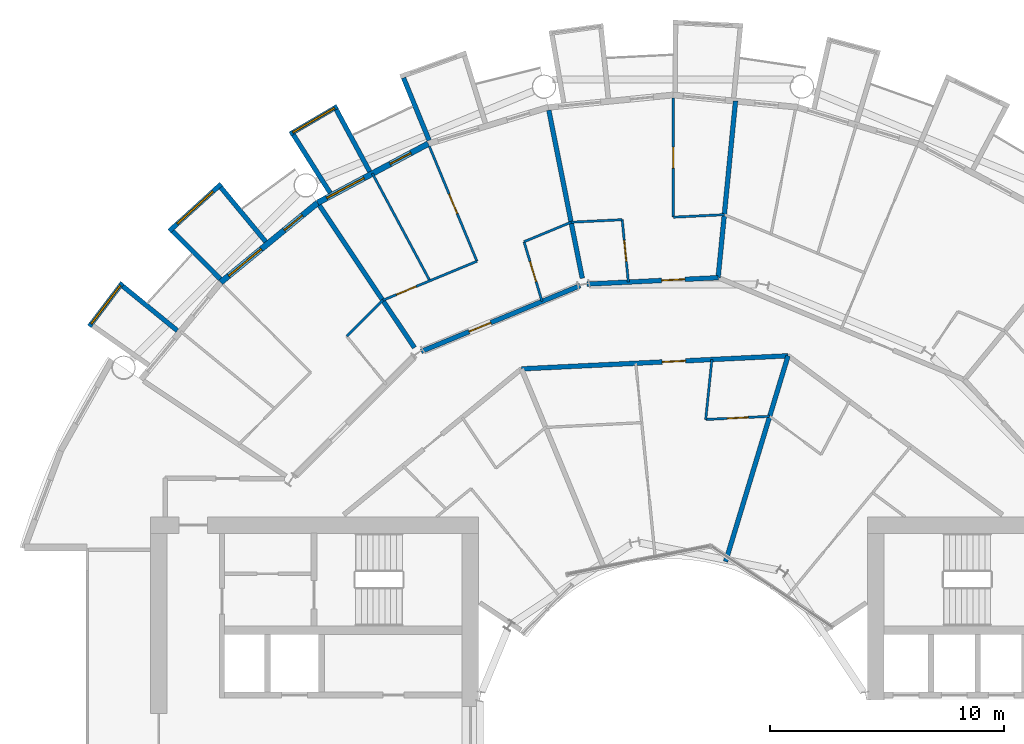
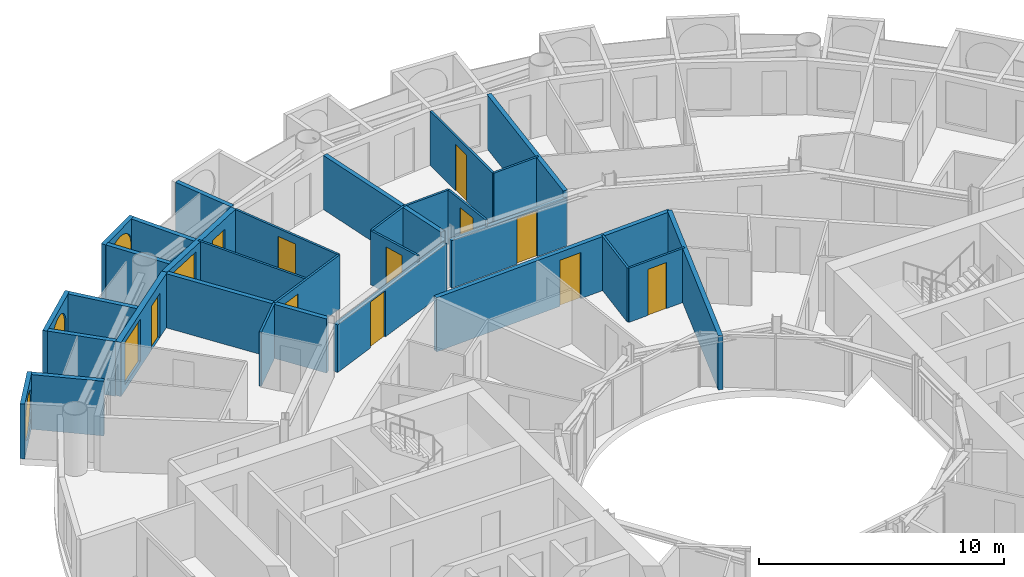
# One storey, part 19 of 26: 30 walls, 11 doors, 5 windows, 16 openings.
"""IFC4 building model written with IfcOpenShell, lengths in metres."""

from ifc_helpers import new_model, si_unit, direction, frame, frame_2d, origin, place, context, subcontext, project, spatial, rectangle, circle, extrude, material, layer, layer_set, type_object, element, fill, save


model = new_model("IFC4")

# Units and contexts
model_context = context("Model", 3, precision=1e-05, world=origin(), true_north=direction((0.0, 1.0)))
body_context = subcontext(model_context, "Body", "Model", "MODEL_VIEW")
ifc_project = project(units=[si_unit("LENGTHUNIT", "METRE"), si_unit("AREAUNIT", "SQUARE_METRE"), si_unit("VOLUMEUNIT", "CUBIC_METRE"), si_unit("PLANEANGLEUNIT", "RADIAN"), si_unit("MASSUNIT", "GRAM", prefix="KILO")], contexts=[model_context])

# Site, building, storey
site_placement = place(None, origin())
site = spatial("IfcSite", under=ifc_project, at=site_placement, CompositionType="ELEMENT")
building_placement = place(site_placement, origin())
building = spatial("IfcBuilding", under=site, at=building_placement, Name="Maasbend Ring Residences", CompositionType="ELEMENT")
storey_placement = place(building_placement, frame((0.0, 0.0, 69.699951171875)))
storey = spatial("IfcBuildingStorey", under=building, at=storey_placement, Name="L19", CompositionType="ELEMENT", Elevation=69.699951171875)

# Wall, opening, door
ifc_material_1 = material(Name="Concrete C30/37", Category="concrete")
ifc_layer_1 = layer(ifc_material_1, 0.199951171875)
ifc_layer_set_1 = layer_set([ifc_layer_1], Name="Concrete C30/37")
wall_type_1 = type_object("IfcWallType", Name="CORRIDOR WALL 200 CONCRETE", PredefinedType="PARTITIONING", material=ifc_layer_set_1)
wall_1_placement = place(storey_placement, frame((-6.468017578125, 15.614013671875, 0.0), z_axis=(0.0, 0.0, 1.0), x_axis=(0.998797695979, 0.049022061427, 0.0)))
wall_1 = element("IfcWall", 1, at=wall_1_placement, inside=storey, type_object=wall_type_1, Name="U-L19-w095", PredefinedType="PARTITIONING", context=body_context, shape_type="SweptSolid", body=[
    extrude(rectangle(XDim=11.384765625, YDim=0.199951171875, at=frame_2d((5.6923828125, 0.0))), origin(), (0.0, 0.0, 1.0), 2.699951171875),
])
opening_1_placement = place(wall_1_placement, frame((6.008056640625, 0.0, 0.0)))
opening_1 = element("IfcOpeningElement", 2, at=opening_1_placement, cuts=wall_1, Name="Opening D-1925", PredefinedType="OPENING", context=body_context, shape_type="SweptSolid", body=[
    extrude(rectangle(XDim=1.0, YDim=2.300048828125, at=frame_2d((0.5, 1.14990234375))), frame((0.0, 0.10986328125, 0.0), z_axis=(0.0, -1.0, 0.0), x_axis=(1.0, 0.0, 0.0)), (0.0, 0.0, 1.0), 0.219970703125),
])
ifc_material_2 = material(Name="Timber, fire-rated, painted", Category="wood")
door_type_1 = type_object("IfcDoorType", Name="FLAT ENTRANCE DOOR 1000 X 2300 FIRE-RATED", OperationType="NOTDEFINED", PredefinedType="DOOR", material=ifc_material_2)
door_1_placement = place(opening_1_placement, origin())
door_1 = element("IfcDoor", 3, at=door_1_placement, inside=storey, type_object=door_type_1, Name="D-1925", OperationType="SINGLE_SWING_RIGHT", OverallHeight=2.300048828125, OverallWidth=1.0, PredefinedType="DOOR", context=body_context, shape_type="SweptSolid", body=[
    extrude(rectangle(XDim=1.0, YDim=2.300048828125, at=frame_2d((0.5, 1.14990234375))), frame((0.0, 0.02490234375, 0.0), z_axis=(0.0, -1.0, 0.0), x_axis=(1.0, 0.0, 0.0)), (0.0, 0.0, 1.0), 0.050048828125),
])
fill(opening_1, door_1)

wall_2_placement = place(storey_placement, frame((-10.7451171875, 16.35693359375, 0.0), z_axis=(0.0, 0.0, 1.0), x_axis=(0.923928411035, 0.382565407848, 0.0)))
wall_2 = element("IfcWall", 4, at=wall_2_placement, inside=storey, type_object=wall_type_1, Name="U-L19-w100", PredefinedType="PARTITIONING", context=body_context, shape_type="SweptSolid", body=[
    extrude(rectangle(XDim=7.335205078125, YDim=0.199951171875, at=frame_2d((3.66748046875, 0.0))), origin(), (0.0, 0.0, 1.0), 2.380126953125),
])
opening_2_placement = place(wall_2_placement, frame((2.2119140625, 0.0, 0.0)))
opening_2 = element("IfcOpeningElement", 5, at=opening_2_placement, cuts=wall_2, Name="Opening D-1913", PredefinedType="OPENING", context=body_context, shape_type="SweptSolid", body=[
    extrude(rectangle(XDim=1.0, YDim=2.300048828125, at=frame_2d((0.5, 1.14990234375))), frame((0.0, 0.10986328125, 0.0), z_axis=(0.0, -1.0, 0.0), x_axis=(1.0, 0.0, 0.0)), (0.0, 0.0, 1.0), 0.219970703125),
])
door_2_placement = place(opening_2_placement, origin())
door_2 = element("IfcDoor", 6, at=door_2_placement, inside=storey, type_object=door_type_1, Name="D-1913", OperationType="SINGLE_SWING_LEFT", OverallHeight=2.300048828125, OverallWidth=1.0, PredefinedType="DOOR", context=body_context, shape_type="SweptSolid", body=[
    extrude(rectangle(XDim=1.0, YDim=2.300048828125, at=frame_2d((0.5, 1.14990234375))), frame((0.0, 0.02490234375, 0.0), z_axis=(0.0, -1.0, 0.0), x_axis=(1.0, 0.0, 0.0)), (0.0, 0.0, 1.0), 0.050048828125),
])
fill(opening_2, door_2)

wall_3_placement = place(storey_placement, frame((-3.6689453125, 19.23095703125, 0.0), z_axis=(0.0, 0.0, 1.0), x_axis=(0.998803644396, 0.048900715146, 0.0)))
wall_3 = element("IfcWall", 7, at=wall_3_placement, inside=storey, type_object=wall_type_1, Name="U-L19-w101", PredefinedType="PARTITIONING", context=body_context, shape_type="SweptSolid", body=[
    extrude(rectangle(XDim=5.6015625, YDim=0.199951171875, at=frame_2d((2.80078125, 0.0))), origin(), (0.0, 0.0, 1.0), 2.380126953125),
])
opening_3_placement = place(wall_3_placement, frame((3.178955078125, 0.0, 0.0)))
opening_3 = element("IfcOpeningElement", 8, at=opening_3_placement, cuts=wall_3, Name="Opening D-1910", PredefinedType="OPENING", context=body_context, shape_type="SweptSolid", body=[
    extrude(rectangle(XDim=1.0, YDim=2.300048828125, at=frame_2d((0.5, 1.14990234375))), frame((0.0, 0.10986328125, 0.0), z_axis=(0.0, -1.0, 0.0), x_axis=(1.0, 0.0, 0.0)), (0.0, 0.0, 1.0), 0.219970703125),
])
door_3_placement = place(opening_3_placement, origin())
door_3 = element("IfcDoor", 9, at=door_3_placement, inside=storey, type_object=door_type_1, Name="D-1910", OperationType="SINGLE_SWING_RIGHT", OverallHeight=2.300048828125, OverallWidth=1.0, PredefinedType="DOOR", context=body_context, shape_type="SweptSolid", body=[
    extrude(rectangle(XDim=1.0, YDim=2.300048828125, at=frame_2d((0.5, 1.14990234375))), frame((0.0, 0.02490234375, 0.0), z_axis=(0.0, -1.0, 0.0), x_axis=(1.0, 0.0, 0.0)), (0.0, 0.0, 1.0), 0.050048828125),
])
fill(opening_3, door_3)

# Wall
ifc_material_3 = material(Name="Pale anodised aluminium panel", Category="aluminium")
ifc_layer_2 = layer(ifc_material_3, 0.199951171875)
ifc_layer_set_2 = layer_set([ifc_layer_2], Name="EW-BOX")
wall_type_2 = type_object("IfcWallType", Name="EW-BOX", PredefinedType="SOLIDWALL", material=ifc_layer_set_2)
wall_4_placement = place(storey_placement, frame((-10.408935546875, 25.364013671875, -0.030029296875), z_axis=(0.0, 0.0, 1.0), x_axis=(-0.379509886562, 0.925187681501, 0.0)))
element("IfcWall", 10, at=wall_4_placement, inside=storey, type_object=wall_type_2, Name="Box side wall N14 right", PredefinedType="SOLIDWALL", context=body_context, shape_type="SweptSolid", body=[
    extrude(rectangle(XDim=2.882568359375, YDim=0.199951171875, at=frame_2d((1.44140625, 0.0))), origin(), (0.0, 0.0, 1.0), 2.72998046875),
])

# Wall, opening, window
wall_5_placement = place(storey_placement, frame((-14.326904296875, 26.81201171875, -0.030029296875), z_axis=(0.0, 0.0, 1.0), x_axis=(-0.863346521872, -0.504611517081, 0.0)))
wall_5 = element("IfcWall", 11, at=wall_5_placement, inside=storey, type_object=wall_type_2, Name="Box front N16", PredefinedType="SOLIDWALL", context=body_context, shape_type="SweptSolid", body=[
    extrude(rectangle(XDim=2.33642578125, YDim=0.199951171875, at=frame_2d((1.168212890625, 0.0))), origin(), (0.0, 0.0, 1.0), 2.72998046875),
])
opening_4_placement = place(wall_5_placement, frame((0.128173828125, 0.0, 0.330078125)))
opening_4 = element("IfcOpeningElement", 12, at=opening_4_placement, cuts=wall_5, Name="Opening W-RD", PredefinedType="OPENING", context=body_context, shape_type="SweptSolid", body=[
    extrude(circle(Radius=1.0400390625, at=frame_2d((1.0400390625, 1.0400390625))), frame((0.0, 0.10986328125, 0.0), z_axis=(0.0, -1.0, 0.0), x_axis=(1.0, 0.0, 0.0)), (0.0, 0.0, 1.0), 0.219970703125),
])
ifc_material_4 = material(Name="Aluminium and clear glass", Category="aluminium")
window_type_1 = type_object("IfcWindowType", Name="W-RD", PartitioningType="SINGLE_PANEL", PredefinedType="WINDOW", material=ifc_material_4)
window_1_placement = place(opening_4_placement, origin())
window_1 = element("IfcWindow", 13, at=window_1_placement, inside=storey, type_object=window_type_1, Name="Round window N16", OverallHeight=2.080078125, OverallWidth=2.080078125, PartitioningType="SINGLE_PANEL", PredefinedType="WINDOW", context=body_context, shape_type="SweptSolid", body=[
    extrude(circle(Radius=1.0400390625, at=frame_2d((1.0400390625, 1.0400390625))), frame((0.0, 0.030029296875, 0.0), z_axis=(0.0, -1.0, 0.0), x_axis=(1.0, 0.0, 0.0)), (0.0, 0.0, 1.0), 0.06005859375),
])
fill(opening_4, window_1)

# Walls
wall_6_placement = place(storey_placement, frame((-12.945068359375, 24.029052734375, -0.030029296875), z_axis=(0.0, 0.0, 1.0), x_axis=(-0.474424310775, 0.88029629861, 0.0)))
element("IfcWall", 14, at=wall_6_placement, inside=storey, type_object=wall_type_2, Name="Box side wall N16 left", PredefinedType="SOLIDWALL", context=body_context, shape_type="SweptSolid", body=[
    extrude(rectangle(XDim=3.005859375, YDim=0.199951171875, at=frame_2d((1.5029296875, 0.0))), origin(), (0.0, 0.0, 1.0), 2.72998046875),
])
wall_7_placement = place(storey_placement, frame((-14.635009765625, 23.1259765625, -0.030029296875), z_axis=(0.0, 0.0, 1.0), x_axis=(-0.534437802731, 0.845207805816, 0.0)))
element("IfcWall", 15, at=wall_7_placement, inside=storey, type_object=wall_type_2, Name="Box side wall N16 right", PredefinedType="SOLIDWALL", context=body_context, shape_type="SweptSolid", body=[
    extrude(rectangle(XDim=2.931884765625, YDim=0.199951171875, at=frame_2d((1.4658203125, 0.0))), origin(), (0.0, 0.0, 1.0), 2.72998046875),
])

# Wall, opening, window
wall_8_placement = place(storey_placement, frame((-19.281982421875, 23.5029296875, -0.030029296875), z_axis=(0.0, 0.0, 1.0), x_axis=(-0.740998365753, -0.671506829416, 0.0)))
wall_8 = element("IfcWall", 16, at=wall_8_placement, inside=storey, type_object=wall_type_2, Name="Box front N18", PredefinedType="SOLIDWALL", context=body_context, shape_type="SweptSolid", body=[
    extrude(rectangle(XDim=2.9931640625, YDim=0.199951171875, at=frame_2d((1.49658203125, 0.0))), origin(), (0.0, 0.0, 1.0), 2.72998046875),
])
opening_5_placement = place(wall_8_placement, frame((0.45654296875, 0.0, 0.330078125)))
opening_5 = element("IfcOpeningElement", 17, at=opening_5_placement, cuts=wall_8, Name="Opening W-RD", PredefinedType="OPENING", context=body_context, shape_type="SweptSolid", body=[
    extrude(circle(Radius=1.0400390625, at=frame_2d((1.0400390625, 1.0400390625))), frame((0.0, 0.10986328125, 0.0), z_axis=(0.0, -1.0, 0.0), x_axis=(1.0, 0.0, 0.0)), (0.0, 0.0, 1.0), 0.219970703125),
])
window_2_placement = place(opening_5_placement, origin())
window_2 = element("IfcWindow", 18, at=window_2_placement, inside=storey, type_object=window_type_1, Name="Round window N18", OverallHeight=2.080078125, OverallWidth=2.080078125, PartitioningType="SINGLE_PANEL", PredefinedType="WINDOW", context=body_context, shape_type="SweptSolid", body=[
    extrude(circle(Radius=1.0400390625, at=frame_2d((1.0400390625, 1.0400390625))), frame((0.0, 0.030029296875, 0.0), z_axis=(0.0, -1.0, 0.0), x_axis=(1.0, 0.0, 0.0)), (0.0, 0.0, 1.0), 0.06005859375),
])
fill(opening_5, window_2)

# Walls
wall_9_placement = place(storey_placement, frame((-17.384033203125, 21.041015625, -0.030029296875), z_axis=(0.0, 0.0, 1.0), x_axis=(-0.63709551667, 0.770784861449, 0.0)))
element("IfcWall", 19, at=wall_9_placement, inside=storey, type_object=wall_type_2, Name="Box side wall N18 left", PredefinedType="SOLIDWALL", context=body_context, shape_type="SweptSolid", body=[
    extrude(rectangle(XDim=3.005859375, YDim=0.199951171875, at=frame_2d((1.5029296875, 0.0))), origin(), (0.0, 0.0, 1.0), 2.72998046875),
])
wall_10_placement = place(storey_placement, frame((-19.322998046875, 19.449951171875, -0.030029296875), z_axis=(0.0, 0.0, 1.0), x_axis=(-0.704476739375, 0.709727076896, 0.0)))
element("IfcWall", 20, at=wall_10_placement, inside=storey, type_object=wall_type_2, Name="Box side wall N18 right", PredefinedType="SOLIDWALL", context=body_context, shape_type="SweptSolid", body=[
    extrude(rectangle(XDim=2.883056640625, YDim=0.199951171875, at=frame_2d((1.44140625, 0.0))), origin(), (0.0, 0.0, 1.0), 2.72998046875),
])

# Wall, opening, window
wall_11_placement = place(storey_placement, frame((-23.4970703125, 19.2890625, -0.030029296875), z_axis=(0.0, 0.0, 1.0), x_axis=(-0.60418752353, -0.796842165306, 0.0)))
wall_11 = element("IfcWall", 21, at=wall_11_placement, inside=storey, type_object=wall_type_2, Name="Box front N20", PredefinedType="SOLIDWALL", context=body_context, shape_type="SweptSolid", body=[
    extrude(rectangle(XDim=2.3369140625, YDim=0.199951171875, at=frame_2d((1.16845703125, 0.0))), origin(), (0.0, 0.0, 1.0), 2.72998046875),
])
opening_6_placement = place(wall_11_placement, frame((0.128173828125, 0.0, 0.330078125)))
opening_6 = element("IfcOpeningElement", 22, at=opening_6_placement, cuts=wall_11, Name="Opening W-RD", PredefinedType="OPENING", context=body_context, shape_type="SweptSolid", body=[
    extrude(circle(Radius=1.0400390625, at=frame_2d((1.0400390625, 1.0400390625))), frame((0.0, 0.10986328125, 0.0), z_axis=(0.0, -1.0, 0.0), x_axis=(1.0, 0.0, 0.0)), (0.0, 0.0, 1.0), 0.219970703125),
])
window_3_placement = place(opening_6_placement, origin())
window_3 = element("IfcWindow", 23, at=window_3_placement, inside=storey, type_object=window_type_1, Name="Round window N20", OverallHeight=2.080078125, OverallWidth=2.080078125, PartitioningType="SINGLE_PANEL", PredefinedType="WINDOW", context=body_context, shape_type="SweptSolid", body=[
    extrude(circle(Radius=1.0400390625, at=frame_2d((1.0400390625, 1.0400390625))), frame((0.0, 0.030029296875, 0.0), z_axis=(0.0, -1.0, 0.0), x_axis=(1.0, 0.0, 0.0)), (0.0, 0.0, 1.0), 0.06005859375),
])
fill(opening_6, window_3)

# Wall
wall_12_placement = place(storey_placement, frame((-21.155029296875, 17.24609375, -0.030029296875), z_axis=(0.0, 0.0, 1.0), x_axis=(-0.775179004516, 0.631741648902, 0.0)))
element("IfcWall", 24, at=wall_12_placement, inside=storey, type_object=wall_type_2, Name="Box side wall N20 left", PredefinedType="SOLIDWALL", context=body_context, shape_type="SweptSolid", body=[
    extrude(rectangle(XDim=3.005859375, YDim=0.199951171875, at=frame_2d((1.5029296875, 0.0))), origin(), (0.0, 0.0, 1.0), 2.72998046875),
])

# Wall, openings, door, window
ifc_material_5 = material(Name="Aluminium clad insulated panel", Category="aluminium")
ifc_layer_3 = layer(ifc_material_5, 0.25)
ifc_layer_set_3 = layer_set([ifc_layer_3], Name="EW-GL")
wall_type_3 = type_object("IfcWallType", Name="EW-GL", PredefinedType="SOLIDWALL", material=ifc_layer_set_3)
wall_13_placement = place(storey_placement, frame((-10.447021484375, 25.221923828125, 0.0), z_axis=(0.0, 0.0, 1.0), x_axis=(-0.881915646801, -0.471407246368, 0.0)))
wall_13 = element("IfcWall", 25, at=wall_13_placement, inside=storey, type_object=wall_type_3, Name="External wall N08", PredefinedType="SOLIDWALL", context=body_context, shape_type="SweptSolid", body=[
    extrude(rectangle(XDim=5.35205078125, YDim=0.25, at=frame_2d((2.676025390625, 0.0))), origin(), (0.0, 0.0, 1.0), 2.699951171875),
])
opening_7_placement = place(wall_13_placement, frame((0.841064453125, 0.0, 0.0)))
opening_7 = element("IfcOpeningElement", 26, at=opening_7_placement, cuts=wall_13, Name="Opening D-LG", PredefinedType="OPENING", context=body_context, shape_type="SweptSolid", body=[
    extrude(rectangle(XDim=1.0, YDim=2.199951171875, at=frame_2d((0.5, 1.10009765625))), frame((0.0, 0.135009765625, 0.0), z_axis=(0.0, -1.0, 0.0), x_axis=(1.0, 0.0, 0.0)), (0.0, 0.0, 1.0), 0.27001953125),
])
opening_8_placement = place(wall_13_placement, frame((3.110595703125, 0.0, 0.300048828125)))
opening_8 = element("IfcOpeningElement", 27, at=opening_8_placement, cuts=wall_13, Name="Opening W-BX", PredefinedType="OPENING", context=body_context, shape_type="SweptSolid", body=[
    extrude(rectangle(XDim=1.800048828125, YDim=2.10009765625, at=frame_2d((0.89990234375, 1.050048828125))), frame((0.0, 0.135009765625, 0.0), z_axis=(0.0, -1.0, 0.0), x_axis=(1.0, 0.0, 0.0)), (0.0, 0.0, 1.0), 0.27001953125),
])
ifc_material_6 = material(Name="Aluminium and clear glass", Category="aluminium")
door_type_2 = type_object("IfcDoorType", Name="D-LG", OperationType="SINGLE_SWING_LEFT", PredefinedType="DOOR", material=ifc_material_6)
door_4_placement = place(opening_7_placement, origin())
door_4 = element("IfcDoor", 28, at=door_4_placement, inside=storey, type_object=door_type_2, Name="Loggia door N15", OperationType="SINGLE_SWING_LEFT", OverallHeight=2.199951171875, OverallWidth=1.0, PredefinedType="DOOR", context=body_context, shape_type="SweptSolid", body=[
    extrude(rectangle(XDim=1.0, YDim=2.199951171875, at=frame_2d((0.5, 1.10009765625))), frame((0.0, 0.02490234375, 0.0), z_axis=(0.0, -1.0, 0.0), x_axis=(1.0, 0.0, 0.0)), (0.0, 0.0, 1.0), 0.050048828125),
])
fill(opening_7, door_4)
ifc_material_7 = material(Name="Aluminium and clear glass", Category="aluminium")
window_type_2 = type_object("IfcWindowType", Name="W-BX", PartitioningType="DOUBLE_PANEL_VERTICAL", PredefinedType="WINDOW", material=ifc_material_7)
window_4_placement = place(opening_8_placement, origin())
window_4 = element("IfcWindow", 29, at=window_4_placement, inside=storey, type_object=window_type_2, Name="Window N16 room to box", OverallHeight=2.10009765625, OverallWidth=1.800048828125, PartitioningType="SINGLE_PANEL", PredefinedType="WINDOW", context=body_context, shape_type="SweptSolid", body=[
    extrude(rectangle(XDim=1.800048828125, YDim=2.10009765625, at=frame_2d((0.89990234375, 1.050048828125))), frame((0.0, 0.030029296875, 0.0), z_axis=(0.0, -1.0, 0.0), x_axis=(1.0, 0.0, 0.0)), (0.0, 0.0, 1.0), 0.06005859375),
])
fill(opening_8, window_4)

wall_14_placement = place(storey_placement, frame((-15.1669921875, 22.698974609375, 0.0), z_axis=(0.0, 0.0, 1.0), x_axis=(-0.773019449054, -0.634382322723, 0.0)))
wall_14 = element("IfcWall", 30, at=wall_14_placement, inside=storey, type_object=wall_type_3, Name="External wall N09", PredefinedType="SOLIDWALL", context=body_context, shape_type="SweptSolid", body=[
    extrude(rectangle(XDim=5.351806640625, YDim=0.25, at=frame_2d((2.67578125, 0.0))), origin(), (0.0, 0.0, 1.0), 2.699951171875),
])
opening_9_placement = place(wall_14_placement, frame((0.841064453125, 0.0, 0.0)))
opening_9 = element("IfcOpeningElement", 31, at=opening_9_placement, cuts=wall_14, Name="Opening D-LG", PredefinedType="OPENING", context=body_context, shape_type="SweptSolid", body=[
    extrude(rectangle(XDim=1.0, YDim=2.199951171875, at=frame_2d((0.5, 1.10009765625))), frame((0.0, 0.135009765625, 0.0), z_axis=(0.0, -1.0, 0.0), x_axis=(1.0, 0.0, 0.0)), (0.0, 0.0, 1.0), 0.27001953125),
])
opening_10_placement = place(wall_14_placement, frame((3.110595703125, 0.0, 0.300048828125)))
opening_10 = element("IfcOpeningElement", 32, at=opening_10_placement, cuts=wall_14, Name="Opening W-BX", PredefinedType="OPENING", context=body_context, shape_type="SweptSolid", body=[
    extrude(rectangle(XDim=1.800048828125, YDim=2.10009765625, at=frame_2d((0.89990234375, 1.050048828125))), frame((0.0, 0.135009765625, 0.0), z_axis=(0.0, -1.0, 0.0), x_axis=(1.0, 0.0, 0.0)), (0.0, 0.0, 1.0), 0.27001953125),
])
door_5_placement = place(opening_9_placement, origin())
door_5 = element("IfcDoor", 33, at=door_5_placement, inside=storey, type_object=door_type_2, Name="Loggia door N17", OperationType="SINGLE_SWING_LEFT", OverallHeight=2.199951171875, OverallWidth=1.0, PredefinedType="DOOR", context=body_context, shape_type="SweptSolid", body=[
    extrude(rectangle(XDim=1.0, YDim=2.199951171875, at=frame_2d((0.5, 1.10009765625))), frame((0.0, 0.02490234375, 0.0), z_axis=(0.0, -1.0, 0.0), x_axis=(1.0, 0.0, 0.0)), (0.0, 0.0, 1.0), 0.050048828125),
])
fill(opening_9, door_5)
window_5_placement = place(opening_10_placement, origin())
window_5 = element("IfcWindow", 34, at=window_5_placement, inside=storey, type_object=window_type_2, Name="Window N18 room to box", OverallHeight=2.10009765625, OverallWidth=1.800048828125, PartitioningType="SINGLE_PANEL", PredefinedType="WINDOW", context=body_context, shape_type="SweptSolid", body=[
    extrude(rectangle(XDim=1.800048828125, YDim=2.10009765625, at=frame_2d((0.89990234375, 1.050048828125))), frame((0.0, 0.030029296875, 0.0), z_axis=(0.0, -1.0, 0.0), x_axis=(1.0, 0.0, 0.0)), (0.0, 0.0, 1.0), 0.06005859375),
])
fill(opening_10, window_5)

# Wall
ifc_material_8 = material(Name="Gypsum board on steel studs", Category="steel")
ifc_layer_4 = layer(ifc_material_8, 0.10009765625)
ifc_layer_set_4 = layer_set([ifc_layer_4], Name="PARTITION 100 GYPSUM")
wall_type_4 = type_object("IfcWallType", Name="PARTITION 100 GYPSUM", PredefinedType="PARTITIONING", material=ifc_layer_set_4)
wall_15_placement = place(storey_placement, frame((-12.8330078125, 23.9541015625, 0.0), z_axis=(0.0, 0.0, 1.0), x_axis=(0.472148388886, -0.881519085938, 0.0)))
element("IfcWall", 35, at=wall_15_placement, inside=storey, type_object=wall_type_4, Name="U-L19-w039", PredefinedType="PARTITIONING", context=body_context, shape_type="SweptSolid", body=[
    extrude(rectangle(XDim=5.195556640625, YDim=0.10009765625, at=frame_2d((2.59765625, 0.0))), origin(), (0.0, 0.0, 1.0), 2.699951171875),
])

# Wall, opening, door
wall_16_placement = place(storey_placement, frame((-10.39892578125, 25.10595703125, 0.0), z_axis=(0.0, 0.0, 1.0), x_axis=(0.382620183578, -0.92390572848, 0.0)))
wall_16 = element("IfcWall", 36, at=wall_16_placement, inside=storey, type_object=wall_type_4, Name="U-L19-w044", PredefinedType="PARTITIONING", context=body_context, shape_type="SweptSolid", body=[
    extrude(rectangle(XDim=5.302490234375, YDim=0.10009765625, at=frame_2d((2.6513671875, 0.0))), origin(), (0.0, 0.0, 1.0), 2.699951171875),
])
opening_11_placement = place(wall_16_placement, frame((2.200927734375, 0.0, 0.0)))
opening_11 = element("IfcOpeningElement", 37, at=opening_11_placement, cuts=wall_16, Name="Opening D-1915", PredefinedType="OPENING", context=body_context, shape_type="SweptSolid", body=[
    extrude(rectangle(XDim=0.89990234375, YDim=2.300048828125, at=frame_2d((0.449951171875, 1.14990234375))), frame((0.0, 0.06005859375, 0.0), z_axis=(0.0, -1.0, 0.0), x_axis=(1.0, 0.0, 0.0)), (0.0, 0.0, 1.0), 0.1201171875),
])
ifc_material_9 = material(Name="Timber, painted", Category="wood")
door_type_3 = type_object("IfcDoorType", Name="INTERNAL DOOR 900 X 2300", OperationType="NOTDEFINED", PredefinedType="DOOR", material=ifc_material_9)
door_6_placement = place(opening_11_placement, origin())
door_6 = element("IfcDoor", 38, at=door_6_placement, inside=storey, type_object=door_type_3, Name="D-1915", OperationType="SINGLE_SWING_LEFT", OverallHeight=2.300048828125, OverallWidth=0.89990234375, PredefinedType="DOOR", context=body_context, shape_type="SweptSolid", body=[
    extrude(rectangle(XDim=0.89990234375, YDim=2.300048828125, at=frame_2d((0.449951171875, 1.14990234375))), frame((0.0, 0.02490234375, 0.0), z_axis=(0.0, -1.0, 0.0), x_axis=(1.0, 0.0, 0.0)), (0.0, 0.0, 1.0), 0.050048828125),
])
fill(opening_11, door_6)

wall_17_placement = place(storey_placement, frame((-6.360107421875, 21.0390625, 0.0), z_axis=(0.0, 0.0, 1.0), x_axis=(0.289375816213, -0.957215564537, 0.0)))
wall_17 = element("IfcWall", 39, at=wall_17_placement, inside=storey, type_object=wall_type_4, Name="U-L19-w052", PredefinedType="PARTITIONING", context=body_context, shape_type="SweptSolid", body=[
    extrude(rectangle(XDim=2.660888671875, YDim=0.10009765625, at=frame_2d((1.33056640625, 0.0))), origin(), (0.0, 0.0, 1.0), 2.699951171875),
])
opening_12_placement = place(wall_17_placement, frame((0.8798828125, 0.0, 0.0)))
opening_12 = element("IfcOpeningElement", 40, at=opening_12_placement, cuts=wall_17, Name="Opening D-1914", PredefinedType="OPENING", context=body_context, shape_type="SweptSolid", body=[
    extrude(rectangle(XDim=0.89990234375, YDim=2.300048828125, at=frame_2d((0.449951171875, 1.14990234375))), frame((0.0, 0.06005859375, 0.0), z_axis=(0.0, -1.0, 0.0), x_axis=(1.0, 0.0, 0.0)), (0.0, 0.0, 1.0), 0.1201171875),
])
door_7_placement = place(opening_12_placement, origin())
door_7 = element("IfcDoor", 41, at=door_7_placement, inside=storey, type_object=door_type_3, Name="D-1914", OperationType="SINGLE_SWING_LEFT", OverallHeight=2.300048828125, OverallWidth=0.89990234375, PredefinedType="DOOR", context=body_context, shape_type="SweptSolid", body=[
    extrude(rectangle(XDim=0.89990234375, YDim=2.300048828125, at=frame_2d((0.449951171875, 1.14990234375))), frame((0.0, 0.02490234375, 0.0), z_axis=(0.0, -1.0, 0.0), x_axis=(1.0, 0.0, 0.0)), (0.0, 0.0, 1.0), 0.050048828125),
])
fill(opening_12, door_7)

wall_18_placement = place(storey_placement, frame((-2.172119140625, 21.97900390625, 0.0), z_axis=(0.0, 0.0, 1.0), x_axis=(0.098383180323, -0.995148606907, 0.0)))
wall_18 = element("IfcWall", 42, at=wall_18_placement, inside=storey, type_object=wall_type_4, Name="U-L19-w056", PredefinedType="PARTITIONING", context=body_context, shape_type="SweptSolid", body=[
    extrude(rectangle(XDim=2.675048828125, YDim=0.10009765625, at=frame_2d((1.33740234375, 0.0))), origin(), (0.0, 0.0, 1.0), 2.699951171875),
])
opening_13_placement = place(wall_18_placement, frame((0.886962890625, 0.0, 0.0)))
opening_13 = element("IfcOpeningElement", 43, at=opening_13_placement, cuts=wall_18, Name="Opening D-1911", PredefinedType="OPENING", context=body_context, shape_type="SweptSolid", body=[
    extrude(rectangle(XDim=0.89990234375, YDim=2.300048828125, at=frame_2d((0.449951171875, 1.14990234375))), frame((0.0, 0.06005859375, 0.0), z_axis=(0.0, -1.0, 0.0), x_axis=(1.0, 0.0, 0.0)), (0.0, 0.0, 1.0), 0.1201171875),
])
door_8_placement = place(opening_13_placement, origin())
door_8 = element("IfcDoor", 44, at=door_8_placement, inside=storey, type_object=door_type_3, Name="D-1911", OperationType="SINGLE_SWING_RIGHT", OverallHeight=2.300048828125, OverallWidth=0.89990234375, PredefinedType="DOOR", context=body_context, shape_type="SweptSolid", body=[
    extrude(rectangle(XDim=0.89990234375, YDim=2.300048828125, at=frame_2d((0.449951171875, 1.14990234375))), frame((0.0, 0.02490234375, 0.0), z_axis=(0.0, -1.0, 0.0), x_axis=(1.0, 0.0, 0.0)), (0.0, 0.0, 1.0), 0.050048828125),
])
fill(opening_13, door_8)

wall_19_placement = place(storey_placement, frame((0.007080078125, 22.0859375, 0.0), z_axis=(0.0, 0.0, 1.0), x_axis=(0.000383785052, 0.999999926355, 0.0)))
wall_19 = element("IfcWall", 45, at=wall_19_placement, inside=storey, type_object=wall_type_4, Name="U-L19-w060", PredefinedType="PARTITIONING", context=body_context, shape_type="SweptSolid", body=[
    extrude(rectangle(XDim=5.089111328125, YDim=0.10009765625, at=frame_2d((2.54443359375, 0.0))), origin(), (0.0, 0.0, 1.0), 2.699951171875),
])
opening_14_placement = place(wall_19_placement, frame((2.094970703125, 0.0, 0.0)))
opening_14 = element("IfcOpeningElement", 46, at=opening_14_placement, cuts=wall_19, Name="Opening D-1912", PredefinedType="OPENING", context=body_context, shape_type="SweptSolid", body=[
    extrude(rectangle(XDim=0.89990234375, YDim=2.300048828125, at=frame_2d((0.449951171875, 1.14990234375))), frame((0.0, 0.06005859375, 0.0), z_axis=(0.0, -1.0, 0.0), x_axis=(1.0, 0.0, 0.0)), (0.0, 0.0, 1.0), 0.1201171875),
])
door_9_placement = place(opening_14_placement, origin())
door_9 = element("IfcDoor", 47, at=door_9_placement, inside=storey, type_object=door_type_3, Name="D-1912", OperationType="SINGLE_SWING_RIGHT", OverallHeight=2.300048828125, OverallWidth=0.89990234375, PredefinedType="DOOR", context=body_context, shape_type="SweptSolid", body=[
    extrude(rectangle(XDim=0.89990234375, YDim=2.300048828125, at=frame_2d((0.449951171875, 1.14990234375))), frame((0.0, 0.02490234375, 0.0), z_axis=(0.0, -1.0, 0.0), x_axis=(1.0, 0.0, 0.0)), (0.0, 0.0, 1.0), 0.050048828125),
])
fill(opening_14, door_9)

# Wall
wall_20_placement = place(storey_placement, frame((1.39208984375, 13.4541015625, 0.0), z_axis=(0.0, 0.0, 1.0), x_axis=(0.102594773028, 0.994723234145, 0.0)))
element("IfcWall", 48, at=wall_20_placement, inside=storey, type_object=wall_type_4, Name="U-L19-w062", PredefinedType="PARTITIONING", context=body_context, shape_type="SweptSolid", body=[
    extrude(rectangle(XDim=2.572509765625, YDim=0.10009765625, at=frame_2d((1.2861328125, 0.0))), origin(), (0.0, 0.0, 1.0), 2.699951171875),
])

# Wall, opening, door
wall_21_placement = place(storey_placement, frame((1.39208984375, 13.4541015625, 0.0), z_axis=(0.0, 0.0, 1.0), x_axis=(0.998779365748, 0.049394114582, 0.0)))
wall_21 = element("IfcWall", 49, at=wall_21_placement, inside=storey, type_object=wall_type_4, Name="U-L19-w090", PredefinedType="PARTITIONING", context=body_context, shape_type="SweptSolid", body=[
    extrude(rectangle(XDim=2.7333984375, YDim=0.10009765625, at=frame_2d((1.36669921875, 0.0))), origin(), (0.0, 0.0, 1.0), 2.699951171875),
])
opening_15_placement = place(wall_21_placement, frame((0.9169921875, 0.0, 0.0)))
opening_15 = element("IfcOpeningElement", 50, at=opening_15_placement, cuts=wall_21, Name="Opening D-1926", PredefinedType="OPENING", context=body_context, shape_type="SweptSolid", body=[
    extrude(rectangle(XDim=0.89990234375, YDim=2.300048828125, at=frame_2d((0.449951171875, 1.14990234375))), frame((0.0, 0.06005859375, 0.0), z_axis=(0.0, -1.0, 0.0), x_axis=(1.0, 0.0, 0.0)), (0.0, 0.0, 1.0), 0.1201171875),
])
door_10_placement = place(opening_15_placement, origin())
door_10 = element("IfcDoor", 51, at=door_10_placement, inside=storey, type_object=door_type_3, Name="D-1926", OperationType="SINGLE_SWING_RIGHT", OverallHeight=2.300048828125, OverallWidth=0.89990234375, PredefinedType="DOOR", context=body_context, shape_type="SweptSolid", body=[
    extrude(rectangle(XDim=0.89990234375, YDim=2.300048828125, at=frame_2d((0.449951171875, 1.14990234375))), frame((0.0, 0.02490234375, 0.0), z_axis=(0.0, -1.0, 0.0), x_axis=(1.0, 0.0, 0.0)), (0.0, 0.0, 1.0), 0.050048828125),
])
fill(opening_15, door_10)

# Wall
wall_22_placement = place(storey_placement, frame((-13.924072265625, 17.006103515625, 0.0), z_axis=(0.0, 0.0, 1.0), x_axis=(0.707387256653, 0.706826194425, 0.0)))
element("IfcWall", 52, at=wall_22_placement, inside=storey, type_object=wall_type_4, Name="U-L19-w108", PredefinedType="PARTITIONING", context=body_context, shape_type="SweptSolid", body=[
    extrude(rectangle(XDim=2.17578125, YDim=0.10009765625, at=frame_2d((1.087890625, 0.0))), origin(), (0.0, 0.0, 1.0), 2.699951171875),
])

# Wall, opening, door
wall_23_placement = place(storey_placement, frame((-12.39697265625, 18.535888671875, 0.0), z_axis=(0.0, 0.0, 1.0), x_axis=(0.923761942059, 0.382967197554, 0.0)))
wall_23 = element("IfcWall", 53, at=wall_23_placement, inside=storey, type_object=wall_type_4, Name="U-L19-w109", PredefinedType="PARTITIONING", context=body_context, shape_type="SweptSolid", body=[
    extrude(rectangle(XDim=4.35595703125, YDim=0.10009765625, at=frame_2d((2.177978515625, 0.0))), origin(), (0.0, 0.0, 1.0), 2.699951171875),
])
opening_16_placement = place(wall_23_placement, frame((0.64599609375, 0.0, 0.0)))
opening_16 = element("IfcOpeningElement", 54, at=opening_16_placement, cuts=wall_23, Name="Opening D-1916", PredefinedType="OPENING", context=body_context, shape_type="SweptSolid", body=[
    extrude(rectangle(XDim=0.89990234375, YDim=2.300048828125, at=frame_2d((0.449951171875, 1.14990234375))), frame((0.0, 0.06005859375, 0.0), z_axis=(0.0, -1.0, 0.0), x_axis=(1.0, 0.0, 0.0)), (0.0, 0.0, 1.0), 0.1201171875),
])
door_11_placement = place(opening_16_placement, origin())
door_11 = element("IfcDoor", 55, at=door_11_placement, inside=storey, type_object=door_type_3, Name="D-1916", OperationType="SINGLE_SWING_LEFT", OverallHeight=2.300048828125, OverallWidth=0.89990234375, PredefinedType="DOOR", context=body_context, shape_type="SweptSolid", body=[
    extrude(rectangle(XDim=0.89990234375, YDim=2.300048828125, at=frame_2d((0.449951171875, 1.14990234375))), frame((0.0, 0.02490234375, 0.0), z_axis=(0.0, -1.0, 0.0), x_axis=(1.0, 0.0, 0.0)), (0.0, 0.0, 1.0), 0.050048828125),
])
fill(opening_16, door_11)

# Walls
wall_24_placement = place(storey_placement, frame((-6.360107421875, 21.0390625, 0.0), z_axis=(0.0, 0.0, 1.0), x_axis=(0.923743082263, 0.383012686436, 0.0)))
element("IfcWall", 56, at=wall_24_placement, inside=storey, type_object=wall_type_4, Name="U-L19-w110", PredefinedType="PARTITIONING", context=body_context, shape_type="SweptSolid", body=[
    extrude(rectangle(XDim=2.1748046875, YDim=0.10009765625, at=frame_2d((1.08740234375, 0.0))), origin(), (0.0, 0.0, 1.0), 2.699951171875),
])
for number, where, z_axis, x_axis, name in (
    (57, (-4.35107421875, 21.8720703125, 0.0), (0.0, 0.0, 1.0), (0.998797962079, 0.049016639484, 0.0), "U-L19-w111"),
    (58, (0.007080078125, 22.0859375, 0.0), (0.0, 0.0, 1.0), (0.998792477005, 0.049128279821, 0.0), "U-L19-w112"),
):
    element("IfcWall", number, at=place(storey_placement, frame(where, z_axis=z_axis, x_axis=x_axis)), inside=storey, type_object=wall_type_4, Name=name, PredefinedType="PARTITIONING", context=body_context, shape_type="SweptSolid", body=[
        extrude(rectangle(XDim=2.181640625, YDim=0.10009765625, at=frame_2d((1.0908203125, 0.0))), origin(), (0.0, 0.0, 1.0), 2.699951171875),
    ])
ifc_material_10 = material(Name="Concrete C30/37", Category="concrete")
ifc_layer_5 = layer(ifc_material_10, 0.199951171875)
ifc_layer_set_5 = layer_set([ifc_layer_5], Name="Concrete C30/37")
wall_type_5 = type_object("IfcWallType", Name="PARTY WALL 200 CONCRETE", PredefinedType="PARTITIONING", material=ifc_layer_set_5)
wall_25_placement = place(storey_placement, frame((-15.096923828125, 22.594970703125, 0.0), z_axis=(0.0, 0.0, 1.0), x_axis=(0.555516661303, -0.831505405283, 0.0)))
element("IfcWall", 59, at=wall_25_placement, inside=storey, type_object=wall_type_5, Name="U-L19-w036", PredefinedType="PARTITIONING", context=body_context, shape_type="SweptSolid", body=[
    extrude(rectangle(XDim=7.31201171875, YDim=0.199951171875, at=frame_2d((3.656005859375, 0.0))), origin(), (0.0, 0.0, 1.0), 2.699951171875),
])
wall_26_placement = place(storey_placement, frame((-5.302001953125, 26.653076171875, 0.0), z_axis=(0.0, 0.0, 1.0), x_axis=(0.195114589291, -0.98078045303, 0.0)))
element("IfcWall", 60, at=wall_26_placement, inside=storey, type_object=wall_type_5, Name="U-L19-w054", PredefinedType="PARTITIONING", context=body_context, shape_type="SweptSolid", body=[
    extrude(rectangle(XDim=7.313720703125, YDim=0.199951171875, at=frame_2d((3.65673828125, 0.0))), origin(), (0.0, 0.0, 1.0), 2.699951171875),
])
wall_27_placement = place(storey_placement, frame((1.9208984375, 19.506103515625, 0.0), z_axis=(0.0, 0.0, 1.0), x_axis=(0.098115395479, 0.995175044487, 0.0)))
element("IfcWall", 61, at=wall_27_placement, inside=storey, type_object=wall_type_5, Name="U-L19-w063", PredefinedType="PARTITIONING", context=body_context, shape_type="SweptSolid", body=[
    extrude(rectangle(XDim=7.574462890625, YDim=0.199951171875, at=frame_2d((3.787109375, 0.0))), origin(), (0.0, 0.0, 1.0), 2.699951171875),
])
wall_28_placement = place(storey_placement, frame((2.240966796875, 7.387939453125, 0.0), z_axis=(0.0, 0.0, 1.0), x_axis=(0.290323311932, 0.956928615179, 0.0)))
element("IfcWall", 62, at=wall_28_placement, inside=storey, type_object=wall_type_5, Name="U-L19-w065", PredefinedType="PARTITIONING", context=body_context, shape_type="SweptSolid", body=[
    extrude(rectangle(XDim=9.179443359375, YDim=0.199951171875, at=frame_2d((4.58984375, 0.0))), origin(), (0.0, 0.0, 1.0), 2.699951171875),
])

save(model, "model.ifc")
